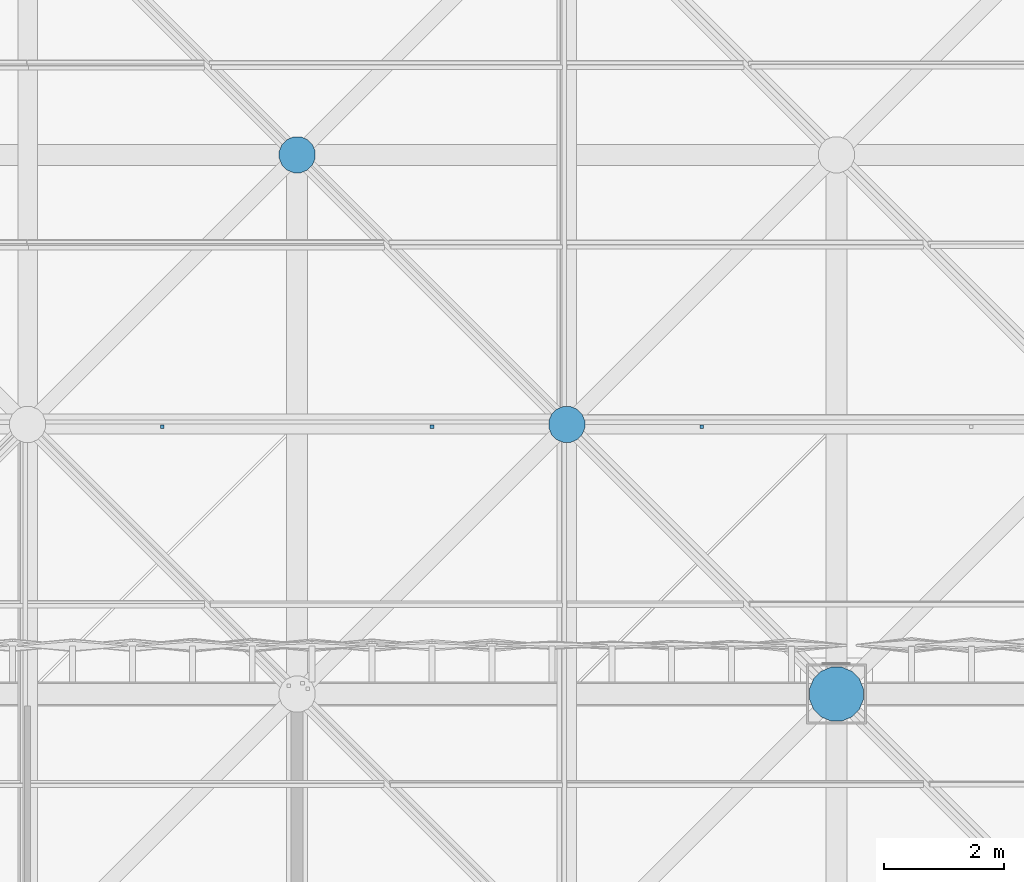
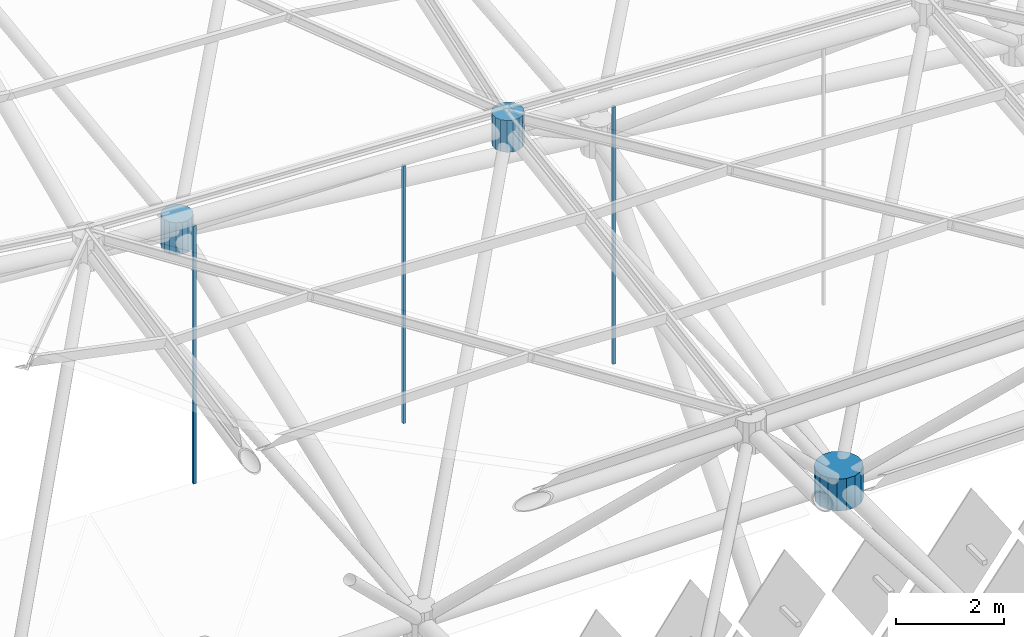
# One storey, part 319 of 437: 6 discrete accessories.
"""IFC4 building model written with IfcOpenShell, lengths in metres."""

from ifc_helpers import new_model, si_unit, direction, frame, origin, place, context, subcontext, project, spatial, polyline, outline, extrude, material, type_object, element, save


model = new_model("IFC4")

# Units and contexts
model_context = context("Model", 3, precision=1e-05, world=origin(), true_north=direction((0.0, 1.0)))
body_context = subcontext(model_context, "Body", "Model", "MODEL_VIEW")
ifc_project = project(units=[si_unit("LENGTHUNIT", "METRE"), si_unit("AREAUNIT", "SQUARE_METRE"), si_unit("VOLUMEUNIT", "CUBIC_METRE"), si_unit("PLANEANGLEUNIT", "RADIAN"), si_unit("MASSUNIT", "GRAM", prefix="KILO")], contexts=[model_context])

# Site, building, storey
site_placement = place(None, origin())
site = spatial("IfcSite", under=ifc_project, at=site_placement, CompositionType="ELEMENT")
building_placement = place(site_placement, origin())
building = spatial("IfcBuilding", under=site, at=building_placement, Name="Opaline Strait Convention Centre", CompositionType="ELEMENT")
storey_placement = place(building_placement, frame((0.0, 0.0, 11.5)))
storey = spatial("IfcBuildingStorey", under=building, at=storey_placement, Name="L02", CompositionType="ELEMENT", Elevation=11.5)

# Discrete accessories
ifc_material_1 = material(Name="Steel Q355B", Category="steel")
discrete_accessory_type_1 = type_object("IfcDiscreteAccessoryType", Name="Soffit hanger 60x60 steel", PredefinedType="BRACKET", material=ifc_material_1)
discrete_accessory_1_placement = place(storey_placement, frame((0.0, 0.0, 13.68359375)))
element("IfcDiscreteAccessory", 1, at=discrete_accessory_1_placement, inside=storey, type_object=discrete_accessory_type_1, Name="Soffit hanger", PredefinedType="BRACKET", context=body_context, shape_type="SweptSolid", body=[
    extrude(outline(polyline([(105.719970703125, 157.43505859375), (105.780029296875, 157.43505859375), (105.780029296875, 157.4951171875), (105.719970703125, 157.4951171875), (105.719970703125, 157.43505859375)])), origin(), (0.0, 0.0, 1.0), 5.854248046875),
])
discrete_accessory_2_placement = place(storey_placement, frame((0.0, 0.0, 13.478271484375)))
element("IfcDiscreteAccessory", 2, at=discrete_accessory_2_placement, inside=storey, type_object=discrete_accessory_type_1, Name="Soffit hanger", PredefinedType="BRACKET", context=body_context, shape_type="SweptSolid", body=[
    extrude(outline(polyline([(110.219970703125, 157.43505859375), (110.280029296875, 157.43505859375), (110.280029296875, 157.4951171875), (110.219970703125, 157.4951171875), (110.219970703125, 157.43505859375)])), origin(), (0.0, 0.0, 1.0), 5.84130859375),
])
discrete_accessory_3_placement = place(storey_placement, frame((0.0, 0.0, 13.247802734375)))
element("IfcDiscreteAccessory", 3, at=discrete_accessory_3_placement, inside=storey, type_object=discrete_accessory_type_1, Name="Soffit hanger", PredefinedType="BRACKET", context=body_context, shape_type="SweptSolid", body=[
    extrude(outline(polyline([(114.719970703125, 157.43505859375), (114.780029296875, 157.43505859375), (114.780029296875, 157.4951171875), (114.719970703125, 157.4951171875), (114.719970703125, 157.43505859375)])), origin(), (0.0, 0.0, 1.0), 5.834716796875),
])
ifc_material_2 = material(Name="Cast steel ZG300-500H (300 MPa)", Category="steel")
discrete_accessory_type_2 = type_object("IfcDiscreteAccessoryType", Name="Space frame bearing node hub D900", PredefinedType="USERDEFINED", material=ifc_material_2)
discrete_accessory_4_placement = place(storey_placement, frame((0.0, 0.0, 12.139892578125)))
element("IfcDiscreteAccessory", 4, at=discrete_accessory_4_placement, inside=storey, type_object=discrete_accessory_type_2, Name="Bottom node 4/13", ObjectType="NODE HUB", PredefinedType="USERDEFINED", context=body_context, shape_type="SweptSolid", body=[
    extrude(outline(polyline([(117.449951171875, 153.089599609375), (117.381591796875, 153.2548828125), (117.2548828125, 153.381591796875), (117.089599609375, 153.449951171875), (116.910400390625, 153.449951171875), (116.7451171875, 153.381591796875), (116.618408203125, 153.2548828125), (116.550048828125, 153.089599609375), (116.550048828125, 152.910400390625), (116.618408203125, 152.7451171875), (116.7451171875, 152.618408203125), (116.910400390625, 152.550048828125), (117.089599609375, 152.550048828125), (117.2548828125, 152.618408203125), (117.381591796875, 152.7451171875), (117.449951171875, 152.910400390625), (117.449951171875, 153.089599609375)])), origin(), (0.0, 0.0, 1.0), 0.72021484375),
])
discrete_accessory_type_3 = type_object("IfcDiscreteAccessoryType", Name="Space frame node hub D600", PredefinedType="USERDEFINED", material=ifc_material_2)
discrete_accessory_5_placement = place(storey_placement, frame((0.0, 0.0, 19.012939453125)))
element("IfcDiscreteAccessory", 5, at=discrete_accessory_5_placement, inside=storey, type_object=discrete_accessory_type_3, Name="Top node 4/14", ObjectType="NODE HUB", PredefinedType="USERDEFINED", context=body_context, shape_type="SweptSolid", body=[
    extrude(outline(polyline([(112.800048828125, 157.559814453125), (112.75439453125, 157.669921875), (112.669921875, 157.75439453125), (112.559814453125, 157.800048828125), (112.440185546875, 157.800048828125), (112.330078125, 157.75439453125), (112.24560546875, 157.669921875), (112.199951171875, 157.559814453125), (112.199951171875, 157.440185546875), (112.24560546875, 157.330078125), (112.330078125, 157.24560546875), (112.440185546875, 157.199951171875), (112.559814453125, 157.199951171875), (112.669921875, 157.24560546875), (112.75439453125, 157.330078125), (112.800048828125, 157.440185546875), (112.800048828125, 157.559814453125)])), origin(), (0.0, 0.0, 1.0), 0.719970703125),
])
discrete_accessory_6_placement = place(storey_placement, frame((0.0, 0.0, 15.54150390625)))
element("IfcDiscreteAccessory", 6, at=discrete_accessory_6_placement, inside=storey, type_object=discrete_accessory_type_3, Name="Bottom node 3/14", ObjectType="NODE HUB", PredefinedType="USERDEFINED", context=body_context, shape_type="SweptSolid", body=[
    extrude(outline(polyline([(108.300048828125, 162.059814453125), (108.25439453125, 162.169921875), (108.169921875, 162.25439453125), (108.059814453125, 162.300048828125), (107.940185546875, 162.300048828125), (107.830078125, 162.25439453125), (107.74560546875, 162.169921875), (107.699951171875, 162.059814453125), (107.699951171875, 161.940185546875), (107.74560546875, 161.830078125), (107.830078125, 161.74560546875), (107.940185546875, 161.699951171875), (108.059814453125, 161.699951171875), (108.169921875, 161.74560546875), (108.25439453125, 161.830078125), (108.300048828125, 161.940185546875), (108.300048828125, 162.059814453125)])), origin(), (0.0, 0.0, 1.0), 0.719970703125),
])

save(model, "model.ifc")
